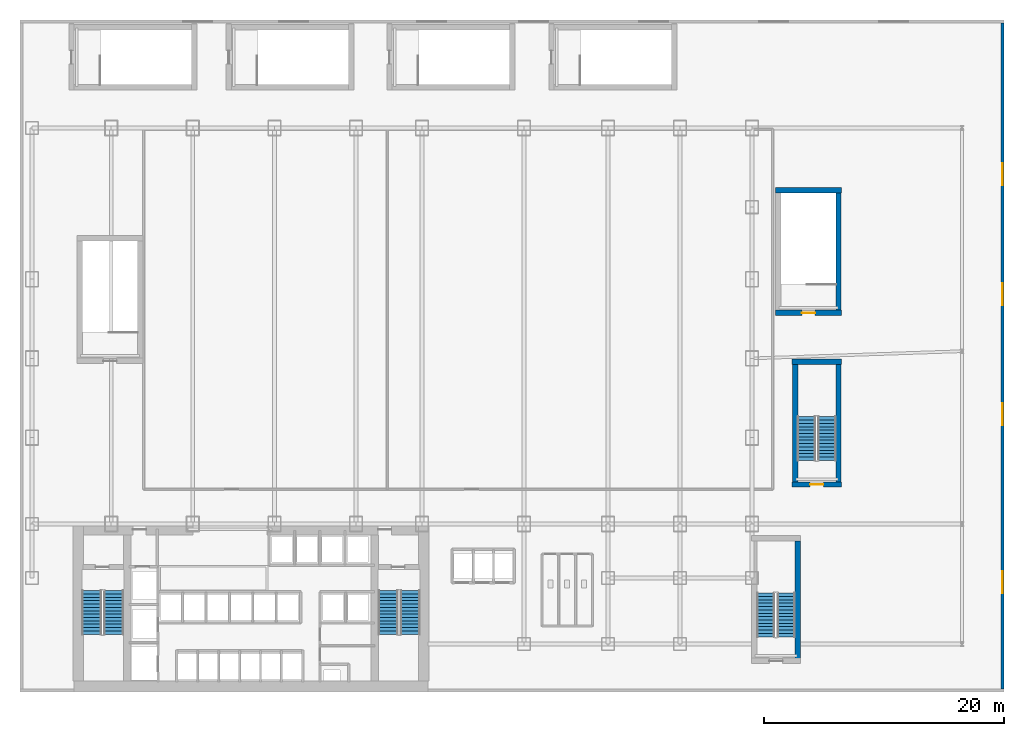
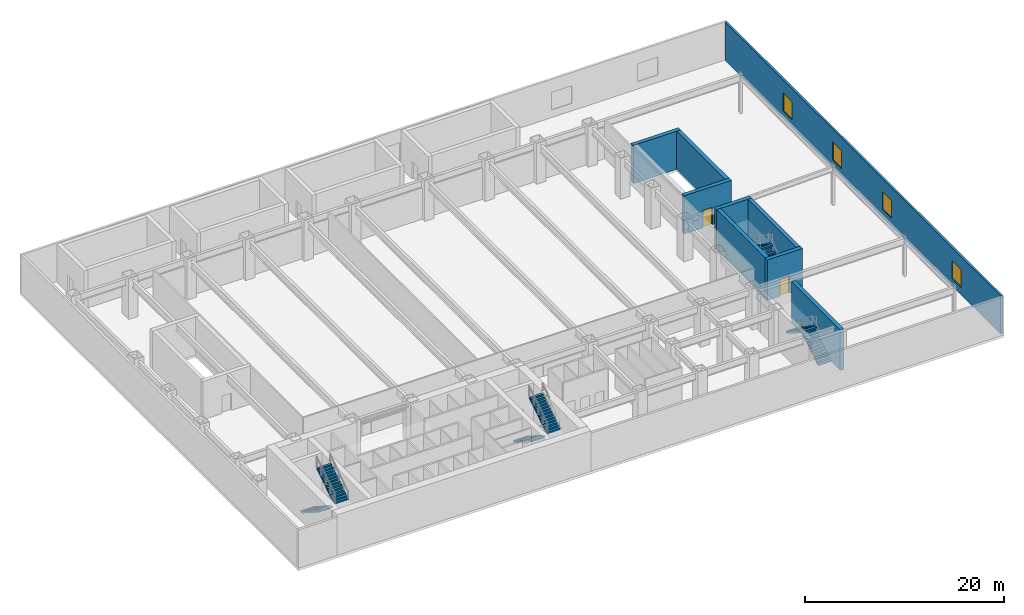
# One storey, part 9 of 14: 9 walls, 8 stair flights, 4 windows, 2 doors, 6 openings, 4 elements without a shape of their own.
"""IFC4 building model written with IfcOpenShell, lengths in metres."""

from ifc_helpers import new_model, si_unit, derived_unit, direction, frame, frame_2d, origin, place, context, subcontext, project, spatial, polyline, rectangle, outline, extrude, source, transform, mapped, material, layer, layer_set, type_object, element, fill, aggregate, save


model = new_model("IFC4")

# Units and contexts
model_context = context("Model", 3, precision=1e-05, world=origin(), true_north=direction((0.0, 1.0)))
body_context = subcontext(model_context, "Body", "Model", "MODEL_VIEW")
ifc_project = project(units=[si_unit("LENGTHUNIT", "METRE"), si_unit("AREAUNIT", "SQUARE_METRE"), si_unit("VOLUMEUNIT", "CUBIC_METRE"), si_unit("PLANEANGLEUNIT", "RADIAN"), si_unit("MASSUNIT", "GRAM", prefix="KILO"), derived_unit("THERMALTRANSMITTANCEUNIT", [(si_unit("POWERUNIT", "WATT"), 1), (si_unit("LENGTHUNIT", "METRE"), -2), (si_unit("THERMODYNAMICTEMPERATUREUNIT", "KELVIN"), -1)])], contexts=[model_context])

# Site, building, storey
site_placement = place(None, origin())
site = spatial("IfcSite", under=ifc_project, at=site_placement, CompositionType="ELEMENT")
building_placement = place(site_placement, origin())
building = spatial("IfcBuilding", under=site, at=building_placement, Name="Skarnbrae Concourse Arena and Tower", CompositionType="ELEMENT")
storey_placement = place(building_placement, frame((0.0, 0.0, 21.0)))
storey = spatial("IfcBuildingStorey", under=building, at=storey_placement, Name="L04", CompositionType="ELEMENT", Elevation=21.0)

# Wall, openings, windows
ifc_material_1 = material(Name="Precast concrete 40 MPa (C40/50)", Category="concrete")
ifc_layer_1 = layer(ifc_material_1, 0.25)
ifc_layer_set_1 = layer_set([ifc_layer_1], Name="Precast concrete 40 MPa (C40/50)")
wall_type_1 = type_object("IfcWallType", Name="WALL-EXT-SPANDREL-250", PredefinedType="STANDARD", material=ifc_layer_set_1)
shared_shape_1 = source(origin(), body_context, "Body", "SweptSolid", [
    extrude(rectangle(XDim=55.5, YDim=0.25, at=frame_2d((27.75, 0.0))), origin(), (0.0, 0.0, 1.0), 4.699951171875),
])
wall_1_placement = place(storey_placement, frame((81.875, 0.25, 0.0), z_axis=(0.0, 0.0, 1.0), x_axis=(0.0, 1.0, 0.0)))
wall_1 = element("IfcWall", 1, at=wall_1_placement, inside=storey, type_object=wall_type_1, Name="L04 Podium exterior precast wall E", PredefinedType="STANDARD", context=body_context, shape_type="MappedRepresentation", body=[
    mapped(shared_shape_1, transform((0.0, 0.0, 0.0))),
])
opening_1_placement = place(wall_1_placement, frame((8.0, 0.0, 0.89990234375)))
opening_1 = element("IfcOpeningElement", 2, at=opening_1_placement, cuts=wall_1, Name="Opening WN-01", PredefinedType="OPENING", context=body_context, shape_type="SweptSolid", body=[
    extrude(rectangle(XDim=1.800048828125, YDim=2.199951171875, at=frame_2d((0.89990234375, 1.10009765625))), frame((0.0, 0.135009765625, 0.0), z_axis=(0.0, -1.0, 0.0), x_axis=(1.0, 0.0, 0.0)), (0.0, 0.0, 1.0), 0.27001953125),
])
opening_2_placement = place(wall_1_placement, frame((22.0, 0.0, 0.89990234375)))
opening_2 = element("IfcOpeningElement", 3, at=opening_2_placement, cuts=wall_1, Name="Opening WN-01", PredefinedType="OPENING", context=body_context, shape_type="SweptSolid", body=[
    extrude(rectangle(XDim=1.800048828125, YDim=2.199951171875, at=frame_2d((0.89990234375, 1.10009765625))), frame((0.0, 0.135009765625, 0.0), z_axis=(0.0, -1.0, 0.0), x_axis=(1.0, 0.0, 0.0)), (0.0, 0.0, 1.0), 0.27001953125),
])
opening_3_placement = place(wall_1_placement, frame((32.0, 0.0, 0.89990234375)))
opening_3 = element("IfcOpeningElement", 4, at=opening_3_placement, cuts=wall_1, Name="Opening WN-01", PredefinedType="OPENING", context=body_context, shape_type="SweptSolid", body=[
    extrude(rectangle(XDim=1.800048828125, YDim=2.199951171875, at=frame_2d((0.89990234375, 1.10009765625))), frame((0.0, 0.135009765625, 0.0), z_axis=(0.0, -1.0, 0.0), x_axis=(1.0, 0.0, 0.0)), (0.0, 0.0, 1.0), 0.27001953125),
])
opening_4_placement = place(wall_1_placement, frame((42.0, 0.0, 0.89990234375)))
opening_4 = element("IfcOpeningElement", 5, at=opening_4_placement, cuts=wall_1, Name="Opening WN-01", PredefinedType="OPENING", context=body_context, shape_type="SweptSolid", body=[
    extrude(rectangle(XDim=1.800048828125, YDim=2.199951171875, at=frame_2d((0.89990234375, 1.10009765625))), frame((0.0, 0.135009765625, 0.0), z_axis=(0.0, -1.0, 0.0), x_axis=(1.0, 0.0, 0.0)), (0.0, 0.0, 1.0), 0.27001953125),
])
ifc_material_2 = material(Name="Low-E triple insulating glass", Category="glass")
window_type = type_object("IfcWindowType", Name="WIN-EXT-1800X2200", PartitioningType="SINGLE_PANEL", PredefinedType="WINDOW", material=ifc_material_2)
shared_shape_2 = source(origin(), body_context, "Body", "SweptSolid", [
    extrude(rectangle(XDim=1.800048828125, YDim=2.199951171875, at=frame_2d((0.89990234375, 1.10009765625))), frame((0.0, 0.030029296875, 0.0), z_axis=(0.0, -1.0, 0.0), x_axis=(1.0, 0.0, 0.0)), (0.0, 0.0, 1.0), 0.06005859375),
])
window_1_placement = place(opening_1_placement, origin())
window_1 = element("IfcWindow", 6, at=window_1_placement, inside=storey, type_object=window_type, Name="L04 Conference hall window E01", OverallHeight=2.199951171875, OverallWidth=1.800048828125, PartitioningType="SINGLE_PANEL", PredefinedType="WINDOW", context=body_context, shape_type="MappedRepresentation", body=[
    mapped(shared_shape_2, transform((0.0, 0.0, 0.0))),
])
fill(opening_1, window_1)
window_2_placement = place(opening_2_placement, origin())
window_2 = element("IfcWindow", 7, at=window_2_placement, inside=storey, type_object=window_type, Name="L04 Conference hall window E02", OverallHeight=2.199951171875, OverallWidth=1.800048828125, PartitioningType="SINGLE_PANEL", PredefinedType="WINDOW", context=body_context, shape_type="MappedRepresentation", body=[
    mapped(shared_shape_2, transform((0.0, 0.0, 0.0))),
])
fill(opening_2, window_2)
window_3_placement = place(opening_3_placement, origin())
window_3 = element("IfcWindow", 8, at=window_3_placement, inside=storey, type_object=window_type, Name="L04 Conference hall window E03", OverallHeight=2.199951171875, OverallWidth=1.800048828125, PartitioningType="SINGLE_PANEL", PredefinedType="WINDOW", context=body_context, shape_type="MappedRepresentation", body=[
    mapped(shared_shape_2, transform((0.0, 0.0, 0.0))),
])
fill(opening_3, window_3)
window_4_placement = place(opening_4_placement, origin())
window_4 = element("IfcWindow", 9, at=window_4_placement, inside=storey, type_object=window_type, Name="L04 Conference hall window E04", OverallHeight=2.199951171875, OverallWidth=1.800048828125, PartitioningType="SINGLE_PANEL", PredefinedType="WINDOW", context=body_context, shape_type="MappedRepresentation", body=[
    mapped(shared_shape_2, transform((0.0, 0.0, 0.0))),
])
fill(opening_4, window_4)

# Walls
ifc_material_3 = material(Name="Concrete 50 MPa (C50/60)", Category="concrete")
ifc_layer_2 = layer(ifc_material_3, 0.449951171875)
ifc_layer_set_2 = layer_set([ifc_layer_2], Name="Concrete 50 MPa (C50/60)")
wall_type_2 = type_object("IfcWallType", Name="WALL-CORE-450-C50", PredefinedType="SHEAR", material=ifc_layer_set_2)
shared_shape_3 = source(origin(), body_context, "Body", "SweptSolid", [
    extrude(rectangle(XDim=9.800048828125, YDim=0.449951171875, at=frame_2d((4.89990234375, 0.0))), origin(), (0.0, 0.0, 1.0), 5.0),
])
for number, where, z_axis, x_axis, name in (
    (10, (64.804931640625, 2.800048828125, 0.0), (0.0, 0.0, 1.0), (0.0, 1.0, 0.0), "L04 Protected stair shaft wall ST-A1-E"),
    (11, (64.594970703125, 17.5, 0.0), (0.0, 0.0, 1.0), (0.0, 1.0, 0.0), "L04 Protected stair shaft wall ST-A2-W"),
    (12, (68.205078125, 17.5, 0.0), (0.0, 0.0, 1.0), (0.0, 1.0, 0.0), "L04 Protected stair shaft wall ST-A2-E"),
):
    element("IfcWall", number, at=place(storey_placement, frame(where, z_axis=z_axis, x_axis=x_axis)), inside=storey, type_object=wall_type_2, Name=name, PredefinedType="SHEAR", context=body_context, shape_type="MappedRepresentation", body=[
        mapped(shared_shape_3, transform((0.0, 0.0, 0.0))),
    ])

# Wall, opening, door
shared_shape_4 = source(origin(), body_context, "Body", "SweptSolid", [
    extrude(rectangle(XDim=4.099853515625, YDim=0.449951171875, at=frame_2d((2.0498046875, 0.0))), origin(), (0.0, 0.0, 1.0), 5.0),
])
wall_2_placement = place(storey_placement, frame((64.35009765625, 17.294921875, 0.0), z_axis=(0.0, 0.0, 1.0), x_axis=(1.0, 0.0, 0.0)))
wall_2 = element("IfcWall", 13, at=wall_2_placement, inside=storey, type_object=wall_type_2, Name="L04 Protected stair shaft wall ST-A2-S", PredefinedType="SHEAR", context=body_context, shape_type="MappedRepresentation", body=[
    mapped(shared_shape_4, transform((0.0, 0.0, 0.0))),
])
opening_5_placement = place(wall_2_placement, frame((1.5, 0.0, 0.0)))
opening_5 = element("IfcOpeningElement", 14, at=opening_5_placement, cuts=wall_2, Name="Opening DT-03", PredefinedType="OPENING", context=body_context, shape_type="SweptSolid", body=[
    extrude(rectangle(XDim=1.10009765625, YDim=2.14990234375, at=frame_2d((0.550048828125, 1.074951171875))), frame((0.0, 0.23486328125, 0.0), z_axis=(0.0, -1.0, 0.0), x_axis=(1.0, 0.0, 0.0)), (0.0, 0.0, 1.0), 0.469970703125),
])
ifc_material_4 = material(Name="Steel CSA G40.21 350W", Category="steel")
door_type = type_object("IfcDoorType", Name="DOOR-FIRE-1100-90M", OperationType="NOTDEFINED", PredefinedType="DOOR", material=ifc_material_4)
shared_shape_5 = source(origin(), body_context, "Body", "SweptSolid", [
    extrude(rectangle(XDim=1.10009765625, YDim=2.14990234375, at=frame_2d((0.550048828125, 1.074951171875))), frame((0.0, 0.02490234375, 0.0), z_axis=(0.0, -1.0, 0.0), x_axis=(1.0, 0.0, 0.0)), (0.0, 0.0, 1.0), 0.050048828125),
])
door_1_placement = place(opening_5_placement, origin())
door_1 = element("IfcDoor", 15, at=door_1_placement, inside=storey, type_object=door_type, Name="D-0299 Exit Stair ST-A2 Door", OperationType="SINGLE_SWING_LEFT", OverallHeight=2.14990234375, OverallWidth=1.10009765625, PredefinedType="DOOR", context=body_context, shape_type="MappedRepresentation", body=[
    mapped(shared_shape_5, transform((0.0, 0.0, 0.0))),
])
fill(opening_5, door_1)

# Wall
wall_3_placement = place(storey_placement, frame((64.35009765625, 27.5048828125, 0.0), z_axis=(0.0, 0.0, 1.0), x_axis=(1.0, 0.0, 0.0)))
element("IfcWall", 16, at=wall_3_placement, inside=storey, type_object=wall_type_2, Name="L04 Protected stair shaft wall ST-A2-N", PredefinedType="SHEAR", context=body_context, shape_type="MappedRepresentation", body=[
    mapped(shared_shape_4, transform((0.0, 0.0, 0.0))),
])

# Wall, opening, door
shared_shape_6 = source(origin(), body_context, "Body", "SweptSolid", [
    extrude(rectangle(XDim=5.5, YDim=0.449951171875, at=frame_2d((2.75, 0.0))), origin(), (0.0, 0.0, 1.0), 4.699951171875),
])
wall_4_placement = place(storey_placement, frame((62.949951171875, 31.594970703125, 0.0), z_axis=(0.0, 0.0, 1.0), x_axis=(1.0, 0.0, 0.0)))
wall_4 = element("IfcWall", 17, at=wall_4_placement, inside=storey, type_object=wall_type_2, Name="L04 Protected stair shaft wall ST-A4-S", PredefinedType="SHEAR", context=body_context, shape_type="MappedRepresentation", body=[
    mapped(shared_shape_6, transform((0.0, 0.0, 0.0))),
])
opening_6_placement = place(wall_4_placement, frame((2.199951171875, 0.0, 0.0)))
opening_6 = element("IfcOpeningElement", 18, at=opening_6_placement, cuts=wall_4, Name="Opening DT-03", PredefinedType="OPENING", context=body_context, shape_type="SweptSolid", body=[
    extrude(rectangle(XDim=1.10009765625, YDim=2.14990234375, at=frame_2d((0.550048828125, 1.074951171875))), frame((0.0, 0.23486328125, 0.0), z_axis=(0.0, -1.0, 0.0), x_axis=(1.0, 0.0, 0.0)), (0.0, 0.0, 1.0), 0.469970703125),
])
door_2_placement = place(opening_6_placement, origin())
door_2 = element("IfcDoor", 19, at=door_2_placement, inside=storey, type_object=door_type, Name="D-0301 Exit Stair ST-A4 Door", OperationType="SINGLE_SWING_LEFT", OverallHeight=2.14990234375, OverallWidth=1.10009765625, PredefinedType="DOOR", context=body_context, shape_type="MappedRepresentation", body=[
    mapped(shared_shape_5, transform((0.0, 0.0, 0.0))),
])
fill(opening_6, door_2)

# Walls
wall_5_placement = place(storey_placement, frame((62.949951171875, 41.804931640625, 0.0), z_axis=(0.0, 0.0, 1.0), x_axis=(1.0, 0.0, 0.0)))
element("IfcWall", 20, at=wall_5_placement, inside=storey, type_object=wall_type_2, Name="L04 Protected stair shaft wall ST-A4-N", PredefinedType="SHEAR", context=body_context, shape_type="MappedRepresentation", body=[
    mapped(shared_shape_6, transform((0.0, 0.0, 0.0))),
])
shared_shape_7 = source(origin(), body_context, "Body", "SweptSolid", [
    extrude(rectangle(XDim=9.800048828125, YDim=0.449951171875, at=frame_2d((4.89990234375, 0.0))), origin(), (0.0, 0.0, 1.0), 4.699951171875),
])
wall_6_placement = place(storey_placement, frame((68.205078125, 31.800048828125, 0.0), z_axis=(0.0, 0.0, 1.0), x_axis=(0.0, 1.0, 0.0)))
element("IfcWall", 21, at=wall_6_placement, inside=storey, type_object=wall_type_2, Name="L04 Protected stair shaft wall ST-A4-E", PredefinedType="SHEAR", context=body_context, shape_type="MappedRepresentation", body=[
    mapped(shared_shape_7, transform((0.0, 0.0, 0.0))),
])

# Stair, stair flights
ifc_material_5 = material(Name="Concrete 40 MPa (C40/50)", Category="concrete")
stair_type_1 = type_object("IfcStairType", Name="STAIR-DOGLEG-1650", PredefinedType="HALF_TURN_STAIR", material=ifc_material_5)
stair_1_placement = place(storey_placement, origin())
stair_1 = element("IfcStair", 22, at=stair_1_placement, inside=storey, type_object=stair_type_1, Name="L04 Protected Exit Stair ST-1", PredefinedType="HALF_TURN_STAIR")
stair_flight_type_1 = type_object("IfcStairFlightType", Name="FLIGHT-STRAIGHT-1650", PredefinedType="STRAIGHT", material=ifc_material_5)
shared_shape_8 = source(origin(), body_context, "Body", "SweptSolid", [
    extrude(outline(polyline([(0.0, 0.0), (0.0, 0.178466796875), (0.280029296875, 0.178466796875), (0.280029296875, 0.357177734375), (0.56005859375, 0.357177734375), (0.56005859375, 0.53564453125), (0.840087890625, 0.53564453125), (0.840087890625, 0.71435546875), (1.1201171875, 0.71435546875), (1.1201171875, 0.892822265625), (1.39990234375, 0.892822265625), (1.39990234375, 1.071533203125), (1.679931640625, 1.071533203125), (1.679931640625, 1.25), (1.9599609375, 1.25), (1.9599609375, 1.428466796875), (2.239990234375, 1.428466796875), (2.239990234375, 1.607177734375), (2.52001953125, 1.607177734375), (2.52001953125, 1.78564453125), (2.800048828125, 1.78564453125), (2.800048828125, 1.96435546875), (3.080078125, 1.96435546875), (3.080078125, 2.142822265625), (3.360107421875, 2.142822265625), (3.360107421875, 2.321533203125), (3.639892578125, 2.321533203125), (3.639892578125, 2.5), (3.639892578125, 2.1435546875), (0.27880859375, 0.0), (0.0, 0.0)])), frame((0.0, 0.824951171875, 0.0), z_axis=(0.0, -1.0, 0.0), x_axis=(1.0, 0.0, 0.0)), (0.0, 0.0, 1.0), 1.64990234375),
])
stair_flight_1_placement = place(storey_placement, frame((5.97509765625, 8.449951171875, 0.0), z_axis=(0.0, 0.0, 1.0), x_axis=(0.0, -1.0, 0.0)))
stair_flight_1 = element("IfcStairFlight", 23, at=stair_flight_1_placement, type_object=stair_flight_type_1, Name="ST-1 flight 1", NumberOfRisers=14, NumberOfTreads=13, PredefinedType="STRAIGHT", RiserHeight=0.178571429, TreadLength=0.28, context=body_context, shape_type="MappedRepresentation", body=[
    mapped(shared_shape_8, transform((0.0, 0.0, 0.0))),
])
stair_flight_2_placement = place(storey_placement, frame((7.824951171875, 4.81005859375, 2.5), z_axis=(0.0, 0.0, 1.0), x_axis=(0.0, 1.0, 0.0)))
stair_flight_2 = element("IfcStairFlight", 24, at=stair_flight_2_placement, type_object=stair_flight_type_1, Name="ST-1 flight 2", NumberOfRisers=14, NumberOfTreads=13, PredefinedType="STRAIGHT", RiserHeight=0.178571429, TreadLength=0.28, context=body_context, shape_type="MappedRepresentation", body=[
    mapped(shared_shape_8, transform((0.0, 0.0, 0.0))),
])
aggregate(stair_1, [stair_flight_1, stair_flight_2])

stair_2_placement = place(storey_placement, origin())
stair_2 = element("IfcStair", 25, at=stair_2_placement, inside=storey, type_object=stair_type_1, Name="L04 Protected Exit Stair ST-2", PredefinedType="HALF_TURN_STAIR")
stair_flight_3_placement = place(storey_placement, frame((30.675048828125, 8.449951171875, 0.0), z_axis=(0.0, 0.0, 1.0), x_axis=(0.0, -1.0, 0.0)))
stair_flight_3 = element("IfcStairFlight", 26, at=stair_flight_3_placement, type_object=stair_flight_type_1, Name="ST-2 flight 1", NumberOfRisers=14, NumberOfTreads=13, PredefinedType="STRAIGHT", RiserHeight=0.178571429, TreadLength=0.28, context=body_context, shape_type="MappedRepresentation", body=[
    mapped(shared_shape_8, transform((0.0, 0.0, 0.0))),
])
stair_flight_4_placement = place(storey_placement, frame((32.52490234375, 4.81005859375, 2.5), z_axis=(0.0, 0.0, 1.0), x_axis=(0.0, 1.0, 0.0)))
stair_flight_4 = element("IfcStairFlight", 27, at=stair_flight_4_placement, type_object=stair_flight_type_1, Name="ST-2 flight 2", NumberOfRisers=14, NumberOfTreads=13, PredefinedType="STRAIGHT", RiserHeight=0.178571429, TreadLength=0.28, context=body_context, shape_type="MappedRepresentation", body=[
    mapped(shared_shape_8, transform((0.0, 0.0, 0.0))),
])
aggregate(stair_2, [stair_flight_3, stair_flight_4])

stair_type_2 = type_object("IfcStairType", Name="STAIR-DOGLEG-1500", PredefinedType="HALF_TURN_STAIR", material=ifc_material_5)
stair_3_placement = place(storey_placement, origin())
stair_3 = element("IfcStair", 28, at=stair_3_placement, inside=storey, type_object=stair_type_2, Name="L04 Arena Exit Stair ST-A1", PredefinedType="HALF_TURN_STAIR")
stair_flight_type_2 = type_object("IfcStairFlightType", Name="FLIGHT-STRAIGHT-1500", PredefinedType="STRAIGHT", material=ifc_material_5)
shared_shape_9 = source(origin(), body_context, "Body", "SweptSolid", [
    extrude(outline(polyline([(0.0, 0.0), (0.0, 0.178466796875), (0.280029296875, 0.178466796875), (0.280029296875, 0.357177734375), (0.56005859375, 0.357177734375), (0.56005859375, 0.53564453125), (0.840087890625, 0.53564453125), (0.840087890625, 0.71435546875), (1.1201171875, 0.71435546875), (1.1201171875, 0.892822265625), (1.39990234375, 0.892822265625), (1.39990234375, 1.071533203125), (1.679931640625, 1.071533203125), (1.679931640625, 1.25), (1.9599609375, 1.25), (1.9599609375, 1.428466796875), (2.239990234375, 1.428466796875), (2.239990234375, 1.607177734375), (2.52001953125, 1.607177734375), (2.52001953125, 1.78564453125), (2.800048828125, 1.78564453125), (2.800048828125, 1.96435546875), (3.080078125, 1.96435546875), (3.080078125, 2.142822265625), (3.360107421875, 2.142822265625), (3.360107421875, 2.321533203125), (3.639892578125, 2.321533203125), (3.639892578125, 2.5), (3.639892578125, 2.1435546875), (0.27880859375, 0.0), (0.0, 0.0)])), frame((0.0, 0.75, 0.0), z_axis=(0.0, -1.0, 0.0), x_axis=(1.0, 0.0, 0.0)), (0.0, 0.0, 1.0), 1.5),
])
stair_flight_5_placement = place(storey_placement, frame((63.85009765625, 4.60009765625, 0.0), z_axis=(0.0, 0.0, 1.0), x_axis=(0.0, 1.0, 0.0)))
stair_flight_5 = element("IfcStairFlight", 29, at=stair_flight_5_placement, type_object=stair_flight_type_2, Name="ST-A1 flight 1", NumberOfRisers=14, NumberOfTreads=13, PredefinedType="STRAIGHT", RiserHeight=0.178571429, TreadLength=0.28, context=body_context, shape_type="MappedRepresentation", body=[
    mapped(shared_shape_9, transform((0.0, 0.0, 0.0))),
])
stair_flight_6_placement = place(storey_placement, frame((62.14990234375, 8.239990234375, 2.5), z_axis=(0.0, 0.0, 1.0), x_axis=(0.0, -1.0, 0.0)))
stair_flight_6 = element("IfcStairFlight", 30, at=stair_flight_6_placement, type_object=stair_flight_type_2, Name="ST-A1 flight 2", NumberOfRisers=14, NumberOfTreads=13, PredefinedType="STRAIGHT", RiserHeight=0.178571429, TreadLength=0.28, context=body_context, shape_type="MappedRepresentation", body=[
    mapped(shared_shape_9, transform((0.0, 0.0, 0.0))),
])
aggregate(stair_3, [stair_flight_5, stair_flight_6])

stair_4_placement = place(storey_placement, origin())
stair_4 = element("IfcStair", 31, at=stair_4_placement, inside=storey, type_object=stair_type_2, Name="L04 Arena Exit Stair ST-A2", PredefinedType="HALF_TURN_STAIR")
stair_flight_7_placement = place(storey_placement, frame((67.25, 19.300048828125, 0.0), z_axis=(0.0, 0.0, 1.0), x_axis=(0.0, 1.0, 0.0)))
stair_flight_7 = element("IfcStairFlight", 32, at=stair_flight_7_placement, type_object=stair_flight_type_2, Name="ST-A2 flight 1", NumberOfRisers=14, NumberOfTreads=13, PredefinedType="STRAIGHT", RiserHeight=0.178571429, TreadLength=0.28, context=body_context, shape_type="MappedRepresentation", body=[
    mapped(shared_shape_9, transform((0.0, 0.0, 0.0))),
])
stair_flight_8_placement = place(storey_placement, frame((65.550048828125, 22.93994140625, 2.5), z_axis=(0.0, 0.0, 1.0), x_axis=(0.0, -1.0, 0.0)))
stair_flight_8 = element("IfcStairFlight", 33, at=stair_flight_8_placement, type_object=stair_flight_type_2, Name="ST-A2 flight 2", NumberOfRisers=14, NumberOfTreads=13, PredefinedType="STRAIGHT", RiserHeight=0.178571429, TreadLength=0.28, context=body_context, shape_type="MappedRepresentation", body=[
    mapped(shared_shape_9, transform((0.0, 0.0, 0.0))),
])
aggregate(stair_4, [stair_flight_7, stair_flight_8])

save(model, "model.ifc")
